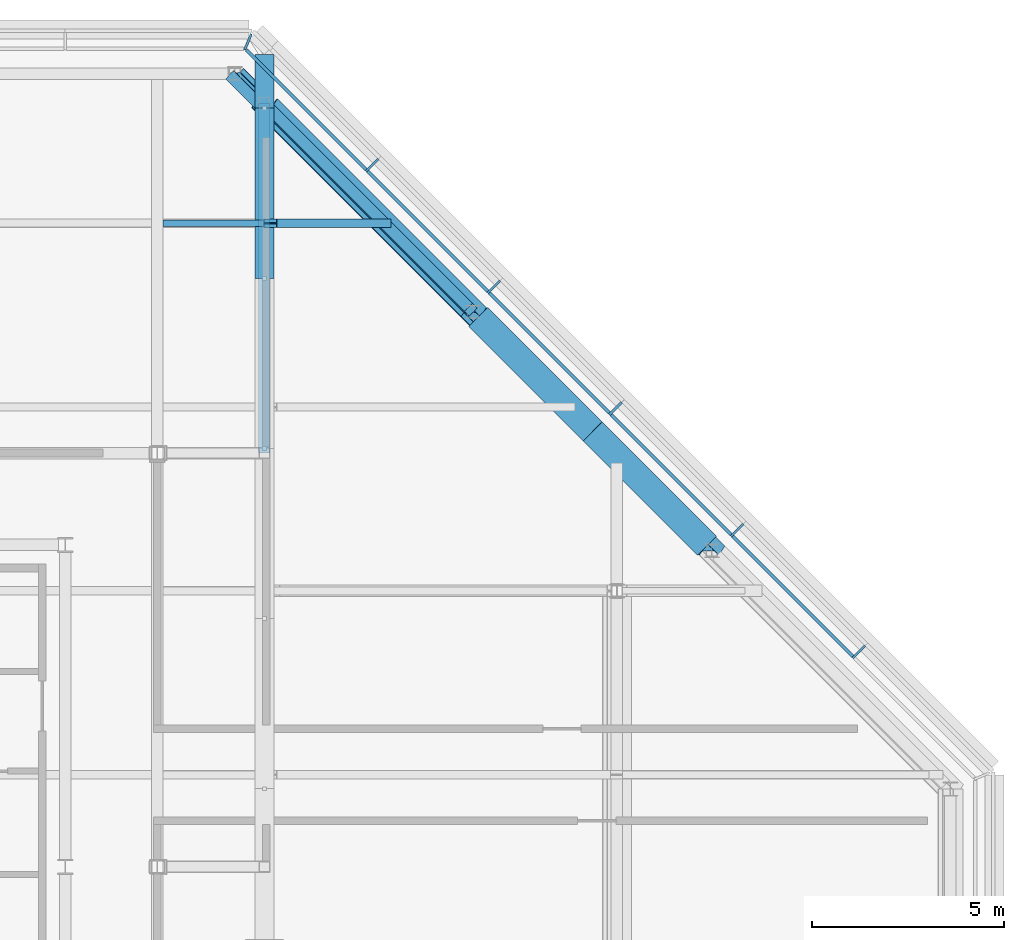
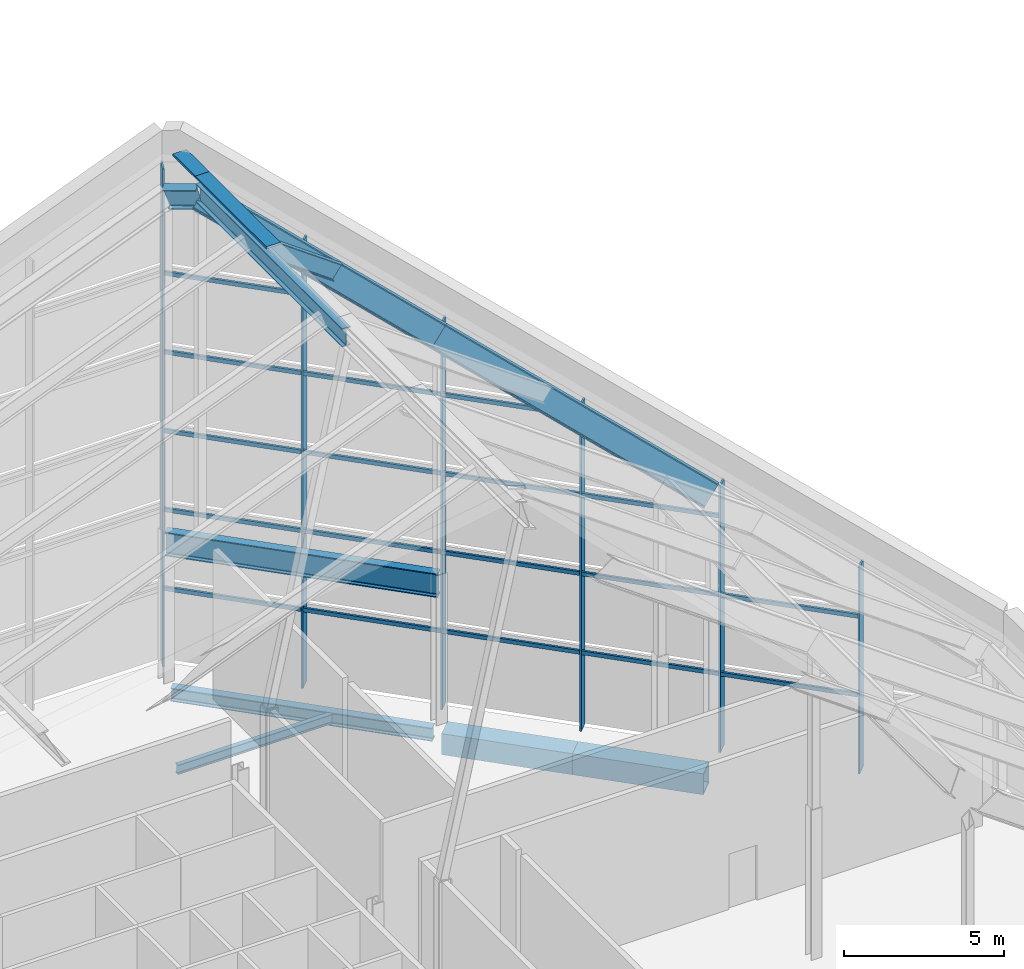
# One storey, part 10 of 21: 26 members, 10 beams, 2 elements without a shape of their own.
"""IFC4 building model written with IfcOpenShell, lengths in metres."""

from ifc_helpers import new_model, si_unit, direction, frame, origin, origin_2d, place, context, subcontext, project, spatial, rectangle, hollow_rectangle, i_section, extrude, material, material_profile, profile_set, type_object, element, aggregate, save


model = new_model("IFC4")

# Units and contexts
model_context = context("Model", 3, precision=1e-05, world=origin(), true_north=direction((0.0, 1.0)))
body_context = subcontext(model_context, "Body", "Model", "MODEL_VIEW")
ifc_project = project(units=[si_unit("LENGTHUNIT", "METRE"), si_unit("AREAUNIT", "SQUARE_METRE"), si_unit("VOLUMEUNIT", "CUBIC_METRE"), si_unit("PLANEANGLEUNIT", "RADIAN"), si_unit("MASSUNIT", "GRAM", prefix="KILO")], contexts=[model_context])

# Site, building, storey
site_placement = place(None, origin())
site = spatial("IfcSite", under=ifc_project, at=site_placement, CompositionType="ELEMENT")
building_placement = place(site_placement, origin())
building = spatial("IfcBuilding", under=site, at=building_placement, Name="Cairn Pilgrim Tower", CompositionType="ELEMENT")
storey_placement = place(building_placement, frame((0.0, 0.0, 295.800048828125)))
storey = spatial("IfcBuildingStorey", under=building, at=storey_placement, Name="L76", CompositionType="ELEMENT", Elevation=295.800048828125)

# Beams
ifc_material_1 = material(Name="Structural steel S355J2", Category="steel")
ifc_material_profile_1 = material_profile(ifc_material_1, hollow_rectangle(XDim=0.699951171875, YDim=0.800048828125, WallThickness=0.0400390625, at=origin_2d()), Name="BOX 700x800x40")
ifc_profile_set_1 = profile_set([ifc_material_profile_1], Name="Structural steel S355J2")
beam_type_1 = type_object("IfcBeamType", Name="BOX 700x800x40 RING GIRDER", PredefinedType="SPANDREL", material=ifc_profile_set_1)
for number, where, z_axis, x_axis, name in (
    (1, (33.55126953125, 10.77587890625, -0.60009765625), (-0.707077889614, 0.707135671578, 0.0), (-0.707135671578, -0.707077889614, 0.0), "RG4-NE2-NE3-1"),
    (2, (30.563720703125, 13.763671875, -0.60009765625), (-0.707135671578, 0.707077889614, 0.0), (-0.707077889614, -0.707135671578, 0.0), "RG4-NE2-NE3-2"),
):
    element("IfcBeam", number, at=place(storey_placement, frame(where, z_axis=z_axis, x_axis=x_axis)), inside=storey, type_object=beam_type_1, Name=name, PredefinedType="SPANDREL", context=body_context, shape_type="SweptSolid", body=[
        extrude(hollow_rectangle(XDim=0.699951171875, YDim=0.800048828125, WallThickness=0.0400390625, at=origin_2d()), origin(), (0.0, 0.0, 1.0), 4.22509765625),
    ])
ifc_material_profile_2 = material_profile(ifc_material_1, i_section(OverallWidth=0.300048828125, OverallDepth=0.699951171875, WebThickness=0.01708984375, FlangeThickness=0.031982421875, FilletRadius=0.027099609375, at=origin_2d()), Name="HEB 700")
ifc_profile_set_2 = profile_set([ifc_material_profile_2], Name="Structural steel S355J2")
beam_type_2 = type_object("IfcBeamType", Name="CROWN GIRDER HE 700 B", PredefinedType="BEAM", material=ifc_profile_set_2)
beam_1_placement = place(storey_placement, frame((22.0, 13.199951171875, 18.770751953125), z_axis=(0.0, 1.0, 0.0), x_axis=(-1.0, 0.0, 0.0)))
element("IfcBeam", 3, at=beam_1_placement, inside=storey, type_object=beam_type_2, Name="CROWN GIRDER CG-HE700B", PredefinedType="BEAM", context=body_context, shape_type="SweptSolid", body=[
    extrude(i_section(OverallWidth=0.300048828125, OverallDepth=0.699951171875, WebThickness=0.01708984375, FlangeThickness=0.031982421875, FilletRadius=0.027099609375, at=origin_2d()), origin(), (0.0, 0.0, 1.0), 9.127197265625),
])
ifc_material_profile_3 = material_profile(ifc_material_1, i_section(OverallWidth=0.219970703125, OverallDepth=0.60009765625, WebThickness=0.011962890625, FlangeThickness=0.01904296875, FilletRadius=0.02392578125, at=origin_2d()), Name="IPE 600")
ifc_profile_set_3 = profile_set([ifc_material_profile_3], Name="Structural steel S355J2")
beam_type_3 = type_object("IfcBeamType", Name="CROWN RAFTER IPE 600", PredefinedType="BEAM", material=ifc_profile_set_3)
beam_2_placement = place(storey_placement, frame((22.14990234375, 19.199951171875, 18.653564453125), z_axis=(0.812272756604, 0.0, -0.583277780203), x_axis=(0.0, 1.0, 0.0)))
element("IfcBeam", 4, at=beam_2_placement, inside=storey, type_object=beam_type_3, Name="CROWN RAFTER CR-IPE600", PredefinedType="BEAM", context=body_context, shape_type="SweptSolid", body=[
    extrude(i_section(OverallWidth=0.219970703125, OverallDepth=0.60009765625, WebThickness=0.011962890625, FlangeThickness=0.01904296875, FilletRadius=0.02392578125, at=origin_2d()), origin(), (0.0, 0.0, 1.0), 3.665283203125),
])
ifc_material_profile_4 = material_profile(ifc_material_1, i_section(OverallWidth=0.300048828125, OverallDepth=0.89990234375, WebThickness=0.0185546875, FlangeThickness=0.034912109375, FilletRadius=0.030029296875, at=origin_2d()), Name="HEB 900")
ifc_profile_set_4 = profile_set([ifc_material_profile_4], Name="Structural steel S355J2")
beam_type_4 = type_object("IfcBeamType", Name="CROWN TRANSFER GIRDER HE 900 B", PredefinedType="BEAM", material=ifc_profile_set_4)
beam_3_placement = place(storey_placement, frame((33.67578125, 10.651611328125, 10.1923828125), z_axis=(-0.630499589175, 0.630474858852, 0.452738026242), x_axis=(-0.512111188637, -0.776209670221, 0.367750837291)))
element("IfcBeam", 5, at=beam_3_placement, inside=storey, type_object=beam_type_4, Name="CROWN TRANSFER GIRDER CT-HE900B", PredefinedType="BEAM", context=body_context, shape_type="SweptSolid", body=[
    extrude(i_section(OverallWidth=0.300048828125, OverallDepth=0.89990234375, WebThickness=0.0185546875, FlangeThickness=0.034912109375, FilletRadius=0.030029296875, at=origin_2d()), origin(), (0.0, 0.0, 1.0), 9.8720703125),
])
beam_4_placement = place(storey_placement, frame((27.451416015625, 16.875732421875, 14.661865234375), z_axis=(-0.630478591868, 0.630478591868, 0.45276206819), x_axis=(-0.512119400021, -0.776206638108, 0.367745802259)))
element("IfcBeam", 6, at=beam_4_placement, inside=storey, type_object=beam_type_4, Name="CROWN TRANSFER GIRDER CT-HE900B", PredefinedType="BEAM", context=body_context, shape_type="SweptSolid", body=[
    extrude(i_section(OverallWidth=0.300048828125, OverallDepth=0.89990234375, WebThickness=0.0185546875, FlangeThickness=0.034912109375, FilletRadius=0.030029296875, at=origin_2d()), origin(), (0.0, 0.0, 1.0), 8.646484375),
])
beam_5_placement = place(storey_placement, frame((22.0, 22.3271484375, 18.57666015625), z_axis=(-0.696501889298, 0.696721953086, -0.171649754709), x_axis=(-0.6506577895, -0.714089719702, -0.258302754881)))
element("IfcBeam", 7, at=beam_5_placement, inside=storey, type_object=beam_type_4, Name="CROWN TRANSFER GIRDER CT-HE900B", PredefinedType="BEAM", context=body_context, shape_type="SweptSolid", body=[
    extrude(i_section(OverallWidth=0.300048828125, OverallDepth=0.89990234375, WebThickness=0.0185546875, FlangeThickness=0.034912109375, FilletRadius=0.030029296875, at=origin_2d()), origin(), (0.0, 0.0, 1.0), 1.109375),
])
ifc_material_profile_5 = material_profile(ifc_material_1, i_section(OverallWidth=0.300048828125, OverallDepth=0.89990234375, WebThickness=0.0185546875, FlangeThickness=0.034912109375, FilletRadius=0.030029296875, at=origin_2d()), Name="HEB 900")
ifc_profile_set_5 = profile_set([ifc_material_profile_5], Name="Structural steel S355J2")
beam_type_5 = type_object("IfcBeamType", Name="CROWN TRANSFER GIRDER HE 900 B CTG2", PredefinedType="BEAM", material=ifc_profile_set_5)
beam_6_placement = place(storey_placement, frame((27.451416015625, 16.875732421875, 5.25), z_axis=(-0.707092913221, 0.707120648881, 0.0), x_axis=(-0.707120648881, -0.707092913221, 0.0)))
element("IfcBeam", 8, at=beam_6_placement, inside=storey, type_object=beam_type_5, Name="CROWN TRANSFER GIRDER CTG2", PredefinedType="BEAM", context=body_context, shape_type="SweptSolid", body=[
    extrude(i_section(OverallWidth=0.300048828125, OverallDepth=0.89990234375, WebThickness=0.0185546875, FlangeThickness=0.034912109375, FilletRadius=0.030029296875, at=origin_2d()), origin(), (0.0, 0.0, 1.0), 8.802490234375),
])

# Curtain wall, members
ifc_material_2 = material(Name="Aluminium alloy 6063-T6 bronze anodised with Bronze tinted laminated low-E glass 8+16+8.8", Category="aluminium")
curtain_wall_type = type_object("IfcCurtainWallType", Name="CROWN LOUVRE CURTAIN WALL", PredefinedType="NOTDEFINED", material=ifc_material_2)
curtain_wall_1_placement = place(storey_placement, origin())
curtain_wall_1 = element("IfcCurtainWall", 9, at=curtain_wall_1_placement, inside=storey, type_object=curtain_wall_type, Name="Crown Louvre Curtain Wall NE", PredefinedType="NOTDEFINED")
ifc_material_3 = material(Name="Aluminium alloy 6063-T6 bronze anodised", Category="aluminium")
ifc_material_profile_6 = material_profile(ifc_material_3, rectangle(XDim=0.449951171875, YDim=0.06005859375, at=origin_2d()), Name="FIN MULLION 60x450 BRONZE")
ifc_profile_set_6 = profile_set([ifc_material_profile_6], Name="Aluminium alloy 6063-T6 bronze anodised")
member_type_1 = type_object("IfcMemberType", Name="FIN MULLION 60x450 BRONZE", PredefinedType="MULLION", material=ifc_profile_set_6)
member_1_placement = place(storey_placement, frame((37.51220703125, 8.010009765625, 0.0), z_axis=(0.0, 0.0, 1.0), x_axis=(0.707106781187, 0.707106781187, 0.0)))
member_1 = element("IfcMember", 10, at=member_1_placement, type_object=member_type_1, Name="Fin mullion NE2", PredefinedType="MULLION", context=body_context, shape_type="SweptSolid", body=[
    extrude(rectangle(XDim=0.449951171875, YDim=0.06005859375, at=origin_2d()), origin(), (0.0, 0.0, 1.0), 7.862060546875),
])
member_2_placement = place(storey_placement, frame((34.336669921875, 11.185546875, 0.0), z_axis=(0.0, 0.0, 1.0), x_axis=(0.707106781187, 0.707106781187, 0.0)))
member_2 = element("IfcMember", 11, at=member_2_placement, type_object=member_type_1, Name="Fin mullion NE3", PredefinedType="MULLION", context=body_context, shape_type="SweptSolid", body=[
    extrude(rectangle(XDim=0.449951171875, YDim=0.06005859375, at=origin_2d()), origin(), (0.0, 0.0, 1.0), 10.142333984375),
])
member_3_placement = place(storey_placement, frame((31.1611328125, 14.361083984375, 0.0), z_axis=(0.0, 0.0, 1.0), x_axis=(0.707106781187, 0.707106781187, 0.0)))
member_3 = element("IfcMember", 12, at=member_3_placement, type_object=member_type_1, Name="Fin mullion NE4", PredefinedType="MULLION", context=body_context, shape_type="SweptSolid", body=[
    extrude(rectangle(XDim=0.449951171875, YDim=0.06005859375, at=origin_2d()), origin(), (0.0, 0.0, 1.0), 12.422607421875),
])
member_4_placement = place(storey_placement, frame((27.985595703125, 17.53662109375, 0.0), z_axis=(0.0, 0.0, 1.0), x_axis=(0.707106781187, 0.707106781187, 0.0)))
member_4 = element("IfcMember", 13, at=member_4_placement, type_object=member_type_1, Name="Fin mullion NE5", PredefinedType="MULLION", context=body_context, shape_type="SweptSolid", body=[
    extrude(rectangle(XDim=0.449951171875, YDim=0.06005859375, at=origin_2d()), origin(), (0.0, 0.0, 1.0), 14.703125),
])
member_5_placement = place(storey_placement, frame((24.809814453125, 20.71240234375, 0.0), z_axis=(0.0, 0.0, 1.0), x_axis=(0.707106781187, 0.707106781187, 0.0)))
member_5 = element("IfcMember", 14, at=member_5_placement, type_object=member_type_1, Name="Fin mullion NE6", PredefinedType="MULLION", context=body_context, shape_type="SweptSolid", body=[
    extrude(rectangle(XDim=0.449951171875, YDim=0.06005859375, at=origin_2d()), origin(), (0.0, 0.0, 1.0), 16.9833984375),
])

# Curtain wall, member
curtain_wall_2_placement = place(storey_placement, origin())
curtain_wall_2 = element("IfcCurtainWall", 15, at=curtain_wall_2_placement, inside=storey, type_object=curtain_wall_type, Name="Crown Louvre Curtain Wall N", PredefinedType="NOTDEFINED")
member_6_placement = place(storey_placement, frame((21.571044921875, 23.93017578125, 0.0), z_axis=(0.0, 0.0, 1.0), x_axis=(0.382683432365, 0.923879532511, 0.0)))
member_6 = element("IfcMember", 16, at=member_6_placement, type_object=member_type_1, Name="Fin mullion N1", PredefinedType="MULLION", context=body_context, shape_type="SweptSolid", body=[
    extrude(rectangle(XDim=0.449951171875, YDim=0.06005859375, at=origin_2d()), origin(), (0.0, 0.0, 1.0), 18.961669921875),
])
aggregate(curtain_wall_2, [member_6])

# Beams
ifc_material_profile_7 = material_profile(ifc_material_1, i_section(OverallWidth=0.300048828125, OverallDepth=0.5, WebThickness=0.014404296875, FlangeThickness=0.028076171875, FilletRadius=0.027099609375, at=origin_2d()), Name="HEB 500")
ifc_profile_set_7 = profile_set([ifc_material_profile_7], Name="Structural steel S355J2")
beam_type_6 = type_object("IfcBeamType", Name="HEB 500 RING GIRDER", PredefinedType="SPANDREL", material=ifc_profile_set_7)
beam_7_placement = place(storey_placement, frame((27.3271484375, 17.000244140625, -0.449951171875), z_axis=(-0.707121226235, 0.707092335843, 0.0), x_axis=(-0.707092335843, -0.707121226235, 0.0)))
element("IfcBeam", 17, at=beam_7_placement, inside=storey, type_object=beam_type_6, Name="RG4-NE3-N1", PredefinedType="SPANDREL", context=body_context, shape_type="SweptSolid", body=[
    extrude(i_section(OverallWidth=0.300048828125, OverallDepth=0.5, WebThickness=0.014404296875, FlangeThickness=0.028076171875, FilletRadius=0.027099609375, at=origin_2d()), origin(), (0.0, 0.0, 1.0), 8.45068359375),
])
ifc_material_profile_8 = material_profile(ifc_material_1, i_section(OverallWidth=0.169921875, OverallDepth=0.360107421875, WebThickness=0.008056640625, FlangeThickness=0.0126953125, FilletRadius=0.01806640625, at=origin_2d()), Name="IPE 360")
ifc_profile_set_8 = profile_set([ifc_material_profile_8], Name="Structural steel S355J2")
beam_type_7 = type_object("IfcBeamType", Name="IPE 360 SECONDARY BEAM", PredefinedType="JOIST", material=ifc_profile_set_8)
beam_8_placement = place(storey_placement, frame((19.35009765625, 19.199951171875, -0.380126953125), z_axis=(1.0, 0.0, 0.0), x_axis=(0.0, 1.0, 0.0)))
element("IfcBeam", 18, at=beam_8_placement, inside=storey, type_object=beam_type_7, Name="SB9-3", PredefinedType="JOIST", context=body_context, shape_type="SweptSolid", body=[
    extrude(i_section(OverallWidth=0.169921875, OverallDepth=0.360107421875, WebThickness=0.008056640625, FlangeThickness=0.0126953125, FilletRadius=0.01806640625, at=origin_2d()), origin(), (0.0, 0.0, 1.0), 5.594970703125),
])

# Members
ifc_material_profile_9 = material_profile(ifc_material_3, rectangle(XDim=0.5, YDim=0.080078125, at=origin_2d()), Name="RIDGE CAP 500x80 BRONZE")
ifc_profile_set_9 = profile_set([ifc_material_profile_9], Name="Aluminium alloy 6063-T6 bronze anodised")
member_type_2 = type_object("IfcMemberType", Name="RIDGE CAP 500x80 BRONZE", PredefinedType="USERDEFINED", material=ifc_profile_set_9)
member_7_placement = place(storey_placement, frame((22.0, 17.7578125, 19.48046875), z_axis=(0.0, 1.0, 0.0), x_axis=(-1.0, 0.0, 0.0)))
element("IfcMember", 19, at=member_7_placement, inside=storey, type_object=member_type_2, Name="Ridge cap 11", ObjectType="RIDGE CAP", PredefinedType="USERDEFINED", context=body_context, shape_type="SweptSolid", body=[
    extrude(rectangle(XDim=0.5, YDim=0.080078125, at=origin_2d()), origin(), (0.0, 0.0, 1.0), 4.439453125),
])
member_8_placement = place(storey_placement, frame((22.0, 22.197265625, 19.48046875), z_axis=(0.0, 1.0, 0.0), x_axis=(-1.0, 0.0, 0.0)))
element("IfcMember", 20, at=member_8_placement, inside=storey, type_object=member_type_2, Name="Ridge cap 12", ObjectType="RIDGE CAP", PredefinedType="USERDEFINED", context=body_context, shape_type="SweptSolid", body=[
    extrude(rectangle(XDim=0.5, YDim=0.080078125, at=origin_2d()), origin(), (0.0, 0.0, 1.0), 1.40283203125),
])

# Member
ifc_material_profile_10 = material_profile(ifc_material_3, rectangle(XDim=0.080078125, YDim=0.14990234375, at=origin_2d()), Name="TRANSOM 80x150 BRONZE")
ifc_profile_set_10 = profile_set([ifc_material_profile_10], Name="Aluminium alloy 6063-T6 bronze anodised")
member_type_3 = type_object("IfcMemberType", Name="TRANSOM 80x150 BRONZE", PredefinedType="USERDEFINED", material=ifc_profile_set_10)
member_9_placement = place(storey_placement, frame((37.353271484375, 7.893310546875, 3.0), z_axis=(-0.707134329907, 0.707079231393, 0.0), x_axis=(-0.707079231393, -0.707134329907, 0.0)))
member_9 = element("IfcMember", 21, at=member_9_placement, type_object=member_type_3, Name="Transom NE2", ObjectType="TRANSOM", PredefinedType="USERDEFINED", context=body_context, shape_type="SweptSolid", body=[
    extrude(rectangle(XDim=0.080078125, YDim=0.14990234375, at=origin_2d()), origin(), (0.0, 0.0, 1.0), 4.430908203125),
])

member_10_placement = place(storey_placement, frame((37.353271484375, 7.893310546875, 6.0), z_axis=(-0.707134329907, 0.707079231393, 0.0), x_axis=(-0.707079231393, -0.707134329907, 0.0)))
member_10 = element("IfcMember", 22, at=member_10_placement, type_object=member_type_3, Name="Transom NE2", ObjectType="TRANSOM", PredefinedType="USERDEFINED", context=body_context, shape_type="SweptSolid", body=[
    extrude(rectangle(XDim=0.080078125, YDim=0.14990234375, at=origin_2d()), origin(), (0.0, 0.0, 1.0), 4.430908203125),
])

member_11_placement = place(storey_placement, frame((34.177490234375, 11.06884765625, 3.0), z_axis=(-0.707106781187, 0.707106781187, 0.0), x_axis=(-0.707106781187, -0.707106781187, 0.0)))
member_11 = element("IfcMember", 23, at=member_11_placement, type_object=member_type_3, Name="Transom NE3", ObjectType="TRANSOM", PredefinedType="USERDEFINED", context=body_context, shape_type="SweptSolid", body=[
    extrude(rectangle(XDim=0.080078125, YDim=0.14990234375, at=origin_2d()), origin(), (0.0, 0.0, 1.0), 4.430908203125),
])

member_12_placement = place(storey_placement, frame((34.177490234375, 11.06884765625, 6.0), z_axis=(-0.707106781187, 0.707106781187, 0.0), x_axis=(-0.707106781187, -0.707106781187, 0.0)))
member_12 = element("IfcMember", 24, at=member_12_placement, type_object=member_type_3, Name="Transom NE3", ObjectType="TRANSOM", PredefinedType="USERDEFINED", context=body_context, shape_type="SweptSolid", body=[
    extrude(rectangle(XDim=0.080078125, YDim=0.14990234375, at=origin_2d()), origin(), (0.0, 0.0, 1.0), 4.430908203125),
])

member_13_placement = place(storey_placement, frame((34.177490234375, 11.06884765625, 9.0), z_axis=(-0.707106781187, 0.707106781187, 0.0), x_axis=(-0.707106781187, -0.707106781187, 0.0)))
member_13 = element("IfcMember", 25, at=member_13_placement, type_object=member_type_3, Name="Transom NE3", ObjectType="TRANSOM", PredefinedType="USERDEFINED", context=body_context, shape_type="SweptSolid", body=[
    extrude(rectangle(XDim=0.080078125, YDim=0.14990234375, at=origin_2d()), origin(), (0.0, 0.0, 1.0), 4.430908203125),
])

member_14_placement = place(storey_placement, frame((31.001953125, 14.244384765625, 3.0), z_axis=(-0.707079231393, 0.707134329907, 0.0), x_axis=(-0.707134329907, -0.707079231393, 0.0)))
member_14 = element("IfcMember", 26, at=member_14_placement, type_object=member_type_3, Name="Transom NE4", ObjectType="TRANSOM", PredefinedType="USERDEFINED", context=body_context, shape_type="SweptSolid", body=[
    extrude(rectangle(XDim=0.080078125, YDim=0.14990234375, at=origin_2d()), origin(), (0.0, 0.0, 1.0), 4.430908203125),
])

member_15_placement = place(storey_placement, frame((31.001953125, 14.244384765625, 6.0), z_axis=(-0.707079231393, 0.707134329907, 0.0), x_axis=(-0.707134329907, -0.707079231393, 0.0)))
member_15 = element("IfcMember", 27, at=member_15_placement, type_object=member_type_3, Name="Transom NE4", ObjectType="TRANSOM", PredefinedType="USERDEFINED", context=body_context, shape_type="SweptSolid", body=[
    extrude(rectangle(XDim=0.080078125, YDim=0.14990234375, at=origin_2d()), origin(), (0.0, 0.0, 1.0), 4.430908203125),
])

member_16_placement = place(storey_placement, frame((31.001953125, 14.244384765625, 9.0), z_axis=(-0.707079231393, 0.707134329907, 0.0), x_axis=(-0.707134329907, -0.707079231393, 0.0)))
member_16 = element("IfcMember", 28, at=member_16_placement, type_object=member_type_3, Name="Transom NE4", ObjectType="TRANSOM", PredefinedType="USERDEFINED", context=body_context, shape_type="SweptSolid", body=[
    extrude(rectangle(XDim=0.080078125, YDim=0.14990234375, at=origin_2d()), origin(), (0.0, 0.0, 1.0), 4.430908203125),
])

member_17_placement = place(storey_placement, frame((31.001953125, 14.244384765625, 12.0), z_axis=(-0.707079231393, 0.707134329907, 0.0), x_axis=(-0.707134329907, -0.707079231393, 0.0)))
member_17 = element("IfcMember", 29, at=member_17_placement, type_object=member_type_3, Name="Transom NE4", ObjectType="TRANSOM", PredefinedType="USERDEFINED", context=body_context, shape_type="SweptSolid", body=[
    extrude(rectangle(XDim=0.080078125, YDim=0.14990234375, at=origin_2d()), origin(), (0.0, 0.0, 1.0), 4.430908203125),
])

member_18_placement = place(storey_placement, frame((27.826416015625, 17.419921875, 3.0), z_axis=(-0.707079231393, 0.707134329907, 0.0), x_axis=(-0.707134329907, -0.707079231393, 0.0)))
member_18 = element("IfcMember", 30, at=member_18_placement, type_object=member_type_3, Name="Transom NE5", ObjectType="TRANSOM", PredefinedType="USERDEFINED", context=body_context, shape_type="SweptSolid", body=[
    extrude(rectangle(XDim=0.080078125, YDim=0.14990234375, at=origin_2d()), origin(), (0.0, 0.0, 1.0), 4.430908203125),
])

member_19_placement = place(storey_placement, frame((27.826416015625, 17.419921875, 6.0), z_axis=(-0.707079231393, 0.707134329907, 0.0), x_axis=(-0.707134329907, -0.707079231393, 0.0)))
member_19 = element("IfcMember", 31, at=member_19_placement, type_object=member_type_3, Name="Transom NE5", ObjectType="TRANSOM", PredefinedType="USERDEFINED", context=body_context, shape_type="SweptSolid", body=[
    extrude(rectangle(XDim=0.080078125, YDim=0.14990234375, at=origin_2d()), origin(), (0.0, 0.0, 1.0), 4.430908203125),
])

member_20_placement = place(storey_placement, frame((27.826416015625, 17.419921875, 9.0), z_axis=(-0.707079231393, 0.707134329907, 0.0), x_axis=(-0.707134329907, -0.707079231393, 0.0)))
member_20 = element("IfcMember", 32, at=member_20_placement, type_object=member_type_3, Name="Transom NE5", ObjectType="TRANSOM", PredefinedType="USERDEFINED", context=body_context, shape_type="SweptSolid", body=[
    extrude(rectangle(XDim=0.080078125, YDim=0.14990234375, at=origin_2d()), origin(), (0.0, 0.0, 1.0), 4.430908203125),
])

member_21_placement = place(storey_placement, frame((27.826416015625, 17.419921875, 12.0), z_axis=(-0.707079231393, 0.707134329907, 0.0), x_axis=(-0.707134329907, -0.707079231393, 0.0)))
member_21 = element("IfcMember", 33, at=member_21_placement, type_object=member_type_3, Name="Transom NE5", ObjectType="TRANSOM", PredefinedType="USERDEFINED", context=body_context, shape_type="SweptSolid", body=[
    extrude(rectangle(XDim=0.080078125, YDim=0.14990234375, at=origin_2d()), origin(), (0.0, 0.0, 1.0), 4.430908203125),
])

member_22_placement = place(storey_placement, frame((24.65087890625, 20.595703125, 3.0), z_axis=(-0.707134392299, 0.707079168996, 0.0), x_axis=(-0.707079168996, -0.707134392299, 0.0)))
member_22 = element("IfcMember", 34, at=member_22_placement, type_object=member_type_3, Name="Transom NE6", ObjectType="TRANSOM", PredefinedType="USERDEFINED", context=body_context, shape_type="SweptSolid", body=[
    extrude(rectangle(XDim=0.080078125, YDim=0.14990234375, at=origin_2d()), origin(), (0.0, 0.0, 1.0), 4.4208984375),
])

member_23_placement = place(storey_placement, frame((24.65087890625, 20.595703125, 6.0), z_axis=(-0.707134392299, 0.707079168996, 0.0), x_axis=(-0.707079168996, -0.707134392299, 0.0)))
member_23 = element("IfcMember", 35, at=member_23_placement, type_object=member_type_3, Name="Transom NE6", ObjectType="TRANSOM", PredefinedType="USERDEFINED", context=body_context, shape_type="SweptSolid", body=[
    extrude(rectangle(XDim=0.080078125, YDim=0.14990234375, at=origin_2d()), origin(), (0.0, 0.0, 1.0), 4.4208984375),
])

member_24_placement = place(storey_placement, frame((24.65087890625, 20.595703125, 9.0), z_axis=(-0.707134392299, 0.707079168996, 0.0), x_axis=(-0.707079168996, -0.707134392299, 0.0)))
member_24 = element("IfcMember", 36, at=member_24_placement, type_object=member_type_3, Name="Transom NE6", ObjectType="TRANSOM", PredefinedType="USERDEFINED", context=body_context, shape_type="SweptSolid", body=[
    extrude(rectangle(XDim=0.080078125, YDim=0.14990234375, at=origin_2d()), origin(), (0.0, 0.0, 1.0), 4.4208984375),
])

member_25_placement = place(storey_placement, frame((24.65087890625, 20.595703125, 12.0), z_axis=(-0.707134392299, 0.707079168996, 0.0), x_axis=(-0.707079168996, -0.707134392299, 0.0)))
member_25 = element("IfcMember", 37, at=member_25_placement, type_object=member_type_3, Name="Transom NE6", ObjectType="TRANSOM", PredefinedType="USERDEFINED", context=body_context, shape_type="SweptSolid", body=[
    extrude(rectangle(XDim=0.080078125, YDim=0.14990234375, at=origin_2d()), origin(), (0.0, 0.0, 1.0), 4.4208984375),
])

member_26_placement = place(storey_placement, frame((24.65087890625, 20.595703125, 15.0), z_axis=(-0.707134392299, 0.707079168996, 0.0), x_axis=(-0.707079168996, -0.707134392299, 0.0)))
member_26 = element("IfcMember", 38, at=member_26_placement, type_object=member_type_3, Name="Transom NE6", ObjectType="TRANSOM", PredefinedType="USERDEFINED", context=body_context, shape_type="SweptSolid", body=[
    extrude(rectangle(XDim=0.080078125, YDim=0.14990234375, at=origin_2d()), origin(), (0.0, 0.0, 1.0), 4.4208984375),
])

aggregate(curtain_wall_1, [member_1, member_2, member_3, member_4, member_5, member_9, member_10, member_11, member_12, member_13, member_14, member_15, member_16, member_17, member_18, member_19, member_20, member_21, member_22, member_23, member_24, member_25, member_26])

save(model, "model.ifc")
